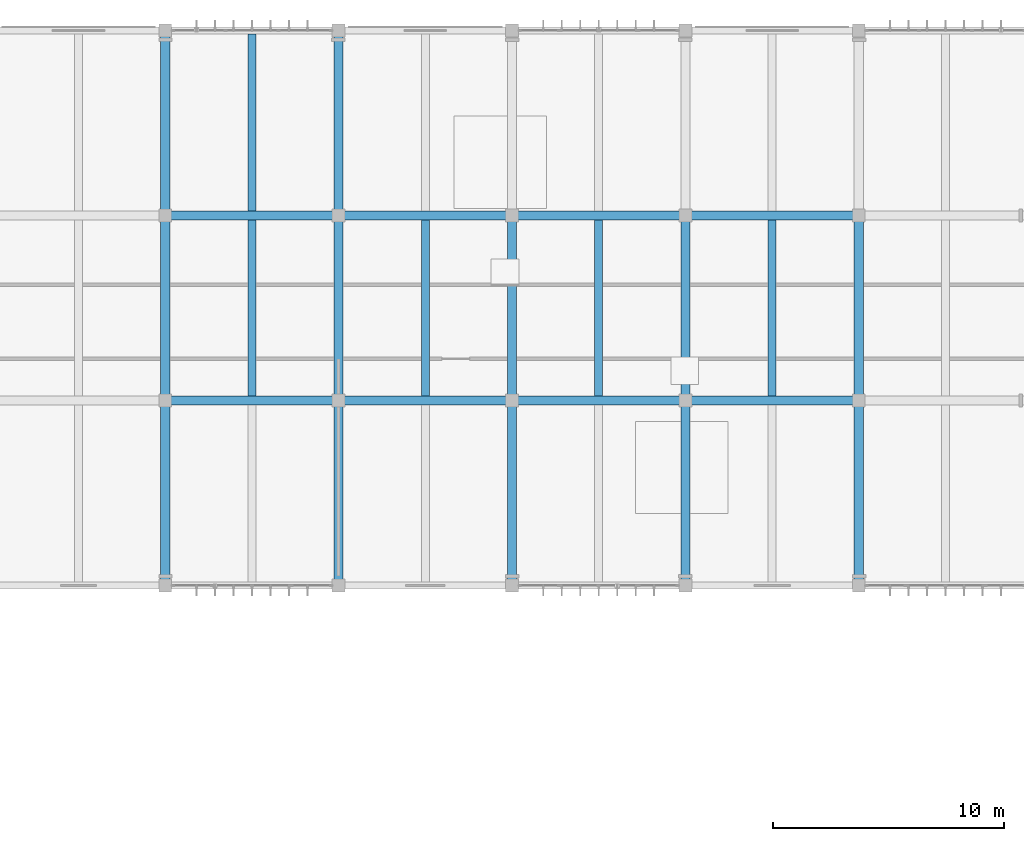
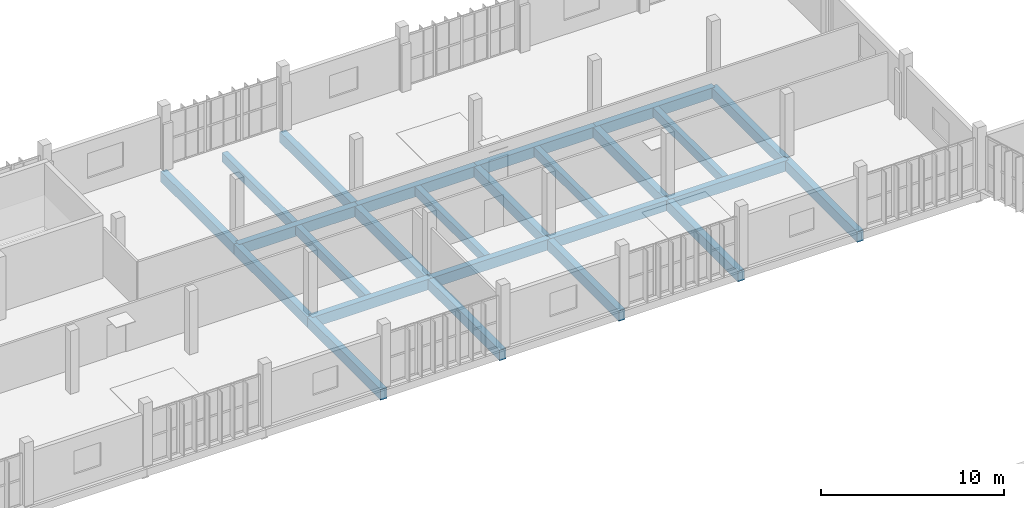
# One storey, part 18 of 61: 25 beams.
"""IFC4 building model written with IfcOpenShell, lengths in metres."""

from ifc_helpers import new_model, si_unit, direction, frame, origin, origin_2d, place, context, subcontext, project, spatial, rectangle, extrude, material, material_profile, profile_set, type_object, element, save


model = new_model("IFC4")

# Units and contexts
model_context = context("Model", 3, precision=1e-05, world=origin(), true_north=direction((0.0, 1.0)))
body_context = subcontext(model_context, "Body", "Model", "MODEL_VIEW")
ifc_project = project(units=[si_unit("LENGTHUNIT", "METRE"), si_unit("AREAUNIT", "SQUARE_METRE"), si_unit("VOLUMEUNIT", "CUBIC_METRE"), si_unit("PLANEANGLEUNIT", "RADIAN"), si_unit("MASSUNIT", "GRAM", prefix="KILO")], contexts=[model_context])

# Site, building, storey
site_placement = place(None, origin())
site = spatial("IfcSite", under=ifc_project, at=site_placement, CompositionType="ELEMENT")
building_placement = place(site_placement, origin())
building = spatial("IfcBuilding", under=site, at=building_placement, Name="Vourika Railside Aquatics Centre", CompositionType="ELEMENT")
storey_placement = place(building_placement, frame((0.0, 0.0, 9.300048828125)))
storey = spatial("IfcBuildingStorey", under=building, at=storey_placement, Name="L02", CompositionType="ELEMENT", Elevation=9.300048828125)

# Beams
ifc_material = material(Name="Concrete C35/45", Category="concrete")
ifc_material_profile_1 = material_profile(ifc_material, rectangle(XDim=0.39990234375, YDim=0.699951171875, at=origin_2d()), Name="RC 400x700")
ifc_profile_set_1 = profile_set([ifc_material_profile_1], Name="Concrete C35/45")
beam_type_1 = type_object("IfcBeamType", Name="BM-GIRD-400x700", PredefinedType="BEAM", material=ifc_profile_set_1)
for number, where, z_axis, x_axis, name in (
    (1, (96.0, 100.0, -0.630126953125), (1.0, 0.0, 0.0), (0.0, 1.0, 0.0), "Floor Beam GX-L02-113"),
    (2, (103.5, 100.0, -0.630126953125), (1.0, 0.0, 0.0), (0.0, 1.0, 0.0), "Floor Beam GX-L02-114"),
    (3, (111.0, 100.0, -0.630126953125), (1.0, 0.0, 0.0), (0.0, 1.0, 0.0), "Floor Beam GX-L02-115"),
    (4, (118.5, 100.0, -0.630126953125), (1.0, 0.0, 0.0), (0.0, 1.0, 0.0), "Floor Beam GX-L02-116"),
    (5, (96.0, 108.0, -0.630126953125), (1.0, 0.0, 0.0), (0.0, 1.0, 0.0), "Floor Beam GX-L02-128"),
    (6, (103.5, 108.0, -0.630126953125), (1.0, 0.0, 0.0), (0.0, 1.0, 0.0), "Floor Beam GX-L02-129"),
    (7, (111.0, 108.0, -0.630126953125), (1.0, 0.0, 0.0), (0.0, 1.0, 0.0), "Floor Beam GX-L02-130"),
    (8, (118.5, 108.0, -0.630126953125), (1.0, 0.0, 0.0), (0.0, 1.0, 0.0), "Floor Beam GX-L02-131"),
):
    element("IfcBeam", number, at=place(storey_placement, frame(where, z_axis=z_axis, x_axis=x_axis)), inside=storey, type_object=beam_type_1, Name=name, PredefinedType="BEAM", context=body_context, shape_type="SweptSolid", body=[
        extrude(rectangle(XDim=0.39990234375, YDim=0.699951171875, at=origin_2d()), origin(), (0.0, 0.0, 1.0), 7.5),
    ])
for number, where, z_axis, x_axis, name in (
    (9, (96.0, 92.0, -0.630126953125), (0.0, 1.0, 0.0), (-1.0, 0.0, 0.0), "Floor Girder GY-L02-222"),
    (10, (96.0, 100.0, -0.630126953125), (0.0, 1.0, 0.0), (-1.0, 0.0, 0.0), "Floor Girder GY-L02-223"),
    (11, (96.0, 108.0, -0.630126953125), (0.0, 1.0, 0.0), (-1.0, 0.0, 0.0), "Floor Girder GY-L02-224"),
    (12, (103.5, 92.0, -0.630126953125), (0.0, 1.0, 0.0), (-1.0, 0.0, 0.0), "Floor Girder GY-L02-228"),
    (13, (103.5, 100.0, -0.630126953125), (0.0, 1.0, 0.0), (-1.0, 0.0, 0.0), "Floor Girder GY-L02-229"),
    (14, (103.5, 108.0, -0.630126953125), (0.0, 1.0, 0.0), (-1.0, 0.0, 0.0), "Floor Girder GY-L02-230"),
    (15, (111.0, 92.0, -0.630126953125), (0.0, 1.0, 0.0), (-1.0, 0.0, 0.0), "Floor Girder GY-L02-234"),
    (16, (111.0, 100.0, -0.630126953125), (0.0, 1.0, 0.0), (-1.0, 0.0, 0.0), "Floor Girder GY-L02-235"),
    (17, (118.5, 92.0, -0.630126953125), (0.0, 1.0, 0.0), (-1.0, 0.0, 0.0), "Floor Girder GY-L02-239"),
    (18, (118.5, 100.0, -0.630126953125), (0.0, 1.0, 0.0), (-1.0, 0.0, 0.0), "Floor Girder GY-L02-240"),
    (19, (126.0, 92.0, -0.630126953125), (0.0, 1.0, 0.0), (-1.0, 0.0, 0.0), "Floor Girder GY-L02-245"),
    (20, (126.0, 100.0, -0.630126953125), (0.0, 1.0, 0.0), (-1.0, 0.0, 0.0), "Floor Girder GY-L02-246"),
):
    element("IfcBeam", number, at=place(storey_placement, frame(where, z_axis=z_axis, x_axis=x_axis)), inside=storey, type_object=beam_type_1, Name=name, PredefinedType="BEAM", context=body_context, shape_type="SweptSolid", body=[
        extrude(rectangle(XDim=0.39990234375, YDim=0.699951171875, at=origin_2d()), origin(), (0.0, 0.0, 1.0), 8.0),
    ])
ifc_material_profile_2 = material_profile(ifc_material, rectangle(XDim=0.35009765625, YDim=0.60009765625, at=origin_2d()), Name="RC 350x600")
ifc_profile_set_2 = profile_set([ifc_material_profile_2], Name="Concrete C35/45")
beam_type_2 = type_object("IfcBeamType", Name="BM-SEC-350x600", PredefinedType="JOIST", material=ifc_profile_set_2)
for number, where, z_axis, x_axis, name in (
    (21, (99.75, 100.199951171875, -0.580078125), (0.0, 1.0, 0.0), (-1.0, 0.0, 0.0), "Secondary Joist JY-L02-359"),
    (22, (107.25, 100.199951171875, -0.580078125), (0.0, 1.0, 0.0), (-1.0, 0.0, 0.0), "Secondary Joist JY-L02-360"),
    (23, (114.75, 100.199951171875, -0.580078125), (0.0, 1.0, 0.0), (-1.0, 0.0, 0.0), "Secondary Joist JY-L02-361"),
    (24, (122.25, 100.199951171875, -0.580078125), (0.0, 1.0, 0.0), (-1.0, 0.0, 0.0), "Secondary Joist JY-L02-362"),
):
    element("IfcBeam", number, at=place(storey_placement, frame(where, z_axis=z_axis, x_axis=x_axis)), inside=storey, type_object=beam_type_2, Name=name, PredefinedType="JOIST", context=body_context, shape_type="SweptSolid", body=[
        extrude(rectangle(XDim=0.35009765625, YDim=0.60009765625, at=origin_2d()), origin(), (0.0, 0.0, 1.0), 7.60009765625),
    ])
beam_placement = place(storey_placement, frame((99.75, 108.199951171875, -0.580078125), z_axis=(0.0, 1.0, 0.0), x_axis=(-1.0, 0.0, 0.0)))
element("IfcBeam", 25, at=beam_placement, inside=storey, type_object=beam_type_2, Name="Secondary Joist JY-L02-368", PredefinedType="JOIST", context=body_context, shape_type="SweptSolid", body=[
    extrude(rectangle(XDim=0.35009765625, YDim=0.60009765625, at=origin_2d()), origin(), (0.0, 0.0, 1.0), 7.650146484375),
])

save(model, "model.ifc")
